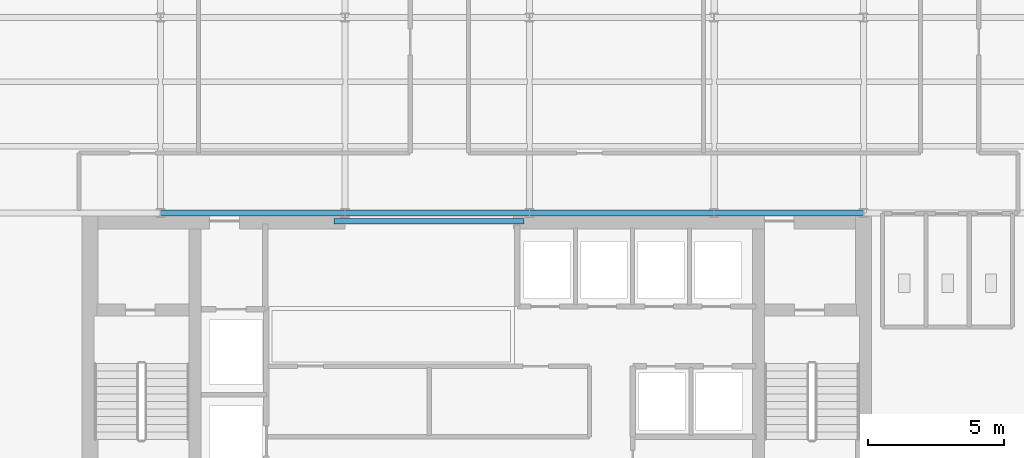
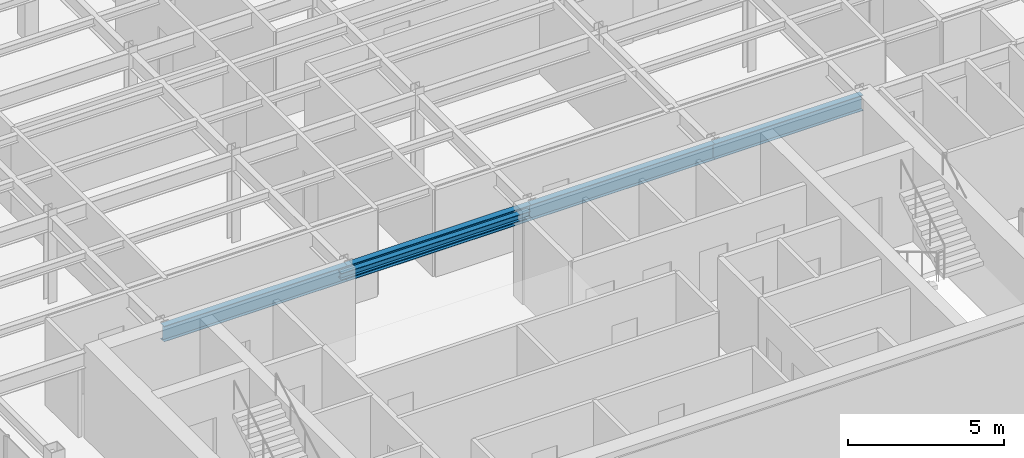
# One storey, part 4 of 22: 5 beams.
"""IFC4 building model written with IfcOpenShell, lengths in metres."""

from ifc_helpers import new_model, si_unit, derived_unit, direction, frame, origin, origin_2d, place, context, subcontext, project, spatial, i_section, extrude, source, transform, mapped, material, material_profile, profile_set, type_object, element, save


model = new_model("IFC4")

# Units and contexts
model_context = context("Model", 3, precision=1e-05, world=origin(), true_north=direction((0.0, 1.0)))
body_context = subcontext(model_context, "Body", "Model", "MODEL_VIEW")
ifc_project = project(units=[si_unit("LENGTHUNIT", "METRE"), si_unit("AREAUNIT", "SQUARE_METRE"), si_unit("VOLUMEUNIT", "CUBIC_METRE"), si_unit("PLANEANGLEUNIT", "RADIAN"), si_unit("MASSUNIT", "GRAM", prefix="KILO"), derived_unit("THERMALTRANSMITTANCEUNIT", [(si_unit("POWERUNIT", "WATT"), 1), (si_unit("LENGTHUNIT", "METRE"), -2), (si_unit("THERMODYNAMICTEMPERATUREUNIT", "KELVIN"), -1)])], contexts=[model_context])

# Site, building, storey
site_placement = place(None, origin())
site = spatial("IfcSite", under=ifc_project, at=site_placement, CompositionType="ELEMENT")
building_placement = place(site_placement, origin())
building = spatial("IfcBuilding", under=site, at=building_placement, Name="Skarnbrae Concourse Arena and Tower", CompositionType="ELEMENT")
storey_placement = place(building_placement, frame((0.0, 0.0, 280.699951171875)))
storey = spatial("IfcBuildingStorey", under=building, at=storey_placement, Name="L73", CompositionType="ELEMENT", Elevation=280.699951171875)

# Beams
ifc_material = material(Name="Steel CSA G40.21 350W", Category="steel")
ifc_material_profile_1 = material_profile(ifc_material, i_section(OverallWidth=0.202880859375, OverallDepth=0.251953125, WebThickness=0.008056640625, FlangeThickness=0.013427734375, at=origin_2d()), Name="W250X58")
ifc_profile_set_1 = profile_set([ifc_material_profile_1], Name="Steel CSA G40.21 350W")
beam_type_1 = type_object("IfcBeamType", Name="BM-LINTEL-W250X58", PredefinedType="LINTEL", material=ifc_profile_set_1)
shared_shape_1 = source(origin(), body_context, "Body", "SweptSolid", [
    extrude(i_section(OverallWidth=0.202880859375, OverallDepth=0.251953125, WebThickness=0.008056640625, FlangeThickness=0.013427734375, at=origin_2d()), origin(), (0.0, 0.0, 1.0), 7.0),
])
beam_1_placement = place(storey_placement, frame((14.0, 13.699951171875, 3.274169921875), z_axis=(1.0, 0.0, 0.0), x_axis=(0.0, 1.0, 0.0)))
element("IfcBeam", 1, at=beam_1_placement, inside=storey, type_object=beam_type_1, Name="L73 Core portal coupling lintel", PredefinedType="LINTEL", context=body_context, shape_type="MappedRepresentation", body=[
    mapped(shared_shape_1, transform((0.0, 0.0, 0.0))),
])
ifc_material_profile_2 = material_profile(ifc_material, i_section(OverallWidth=0.22802734375, OverallDepth=0.60791015625, WebThickness=0.01123046875, FlangeThickness=0.017333984375, at=origin_2d()), Name="W610X113")
ifc_profile_set_2 = profile_set([ifc_material_profile_2], Name="Steel CSA G40.21 350W")
beam_type_2 = type_object("IfcBeamType", Name="BM-GIRD-W610X113", PredefinedType="BEAM", material=ifc_profile_set_2)
shared_shape_2 = source(origin(), body_context, "Body", "SweptSolid", [
    extrude(i_section(OverallWidth=0.22802734375, OverallDepth=0.60791015625, WebThickness=0.01123046875, FlangeThickness=0.017333984375, at=origin_2d()), origin(), (0.0, 0.0, 1.0), 6.7998046875),
])
beam_2_placement = place(storey_placement, frame((7.60009765625, 14.0, 3.095947265625), z_axis=(1.0, 0.0, 0.0), x_axis=(0.0, 1.0, 0.0)))
element("IfcBeam", 2, at=beam_2_placement, inside=storey, type_object=beam_type_2, Name="L73 Primary E-W girder Y14.0-2", PredefinedType="BEAM", context=body_context, shape_type="MappedRepresentation", body=[
    mapped(shared_shape_2, transform((0.0, 0.0, 0.0))),
])
shared_shape_3 = source(origin(), body_context, "Body", "SweptSolid", [
    extrude(i_section(OverallWidth=0.22802734375, OverallDepth=0.60791015625, WebThickness=0.01123046875, FlangeThickness=0.017333984375, at=origin_2d()), origin(), (0.0, 0.0, 1.0), 6.800048828125),
])
for number, where, z_axis, x_axis, name in (
    (3, (14.39990234375, 14.0, 3.095947265625), (1.0, 0.0, 0.0), (0.0, 1.0, 0.0), "L73 Primary E-W girder Y14.0-3"),
    (4, (21.199951171875, 14.0, 3.095947265625), (1.0, 0.0, 0.0), (0.0, 1.0, 0.0), "L73 Primary E-W girder Y14.0-4"),
):
    element("IfcBeam", number, at=place(storey_placement, frame(where, z_axis=z_axis, x_axis=x_axis)), inside=storey, type_object=beam_type_2, Name=name, PredefinedType="BEAM", context=body_context, shape_type="MappedRepresentation", body=[
        mapped(shared_shape_3, transform((0.0, 0.0, 0.0))),
    ])
shared_shape_4 = source(origin(), body_context, "Body", "SweptSolid", [
    extrude(i_section(OverallWidth=0.22802734375, OverallDepth=0.60791015625, WebThickness=0.01123046875, FlangeThickness=0.017333984375, at=origin_2d()), origin(), (0.0, 0.0, 1.0), 5.5),
])
beam_3_placement = place(storey_placement, frame((28.0, 14.0, 3.095947265625), z_axis=(1.0, 0.0, 0.0), x_axis=(0.0, 1.0, 0.0)))
element("IfcBeam", 5, at=beam_3_placement, inside=storey, type_object=beam_type_2, Name="L73 Primary E-W girder Y14.0-5", PredefinedType="BEAM", context=body_context, shape_type="MappedRepresentation", body=[
    mapped(shared_shape_4, transform((0.0, 0.0, 0.0))),
])

save(model, "model.ifc")
